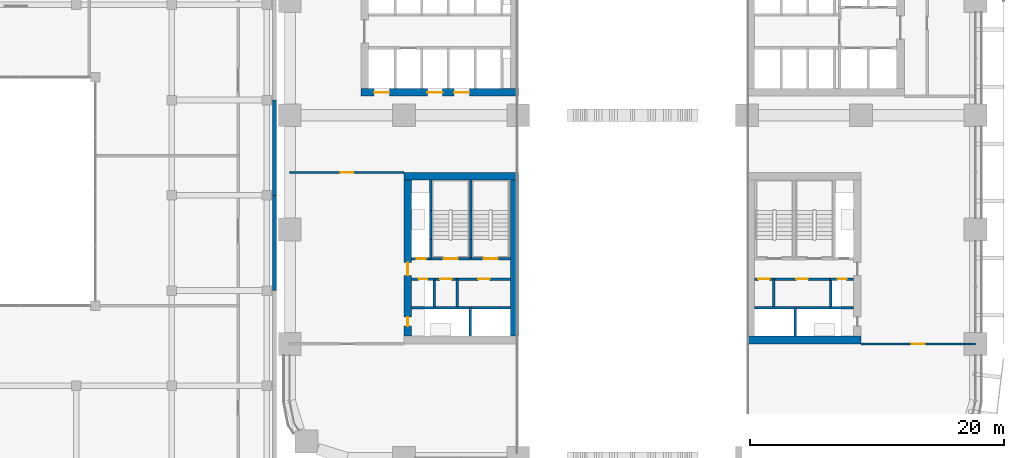
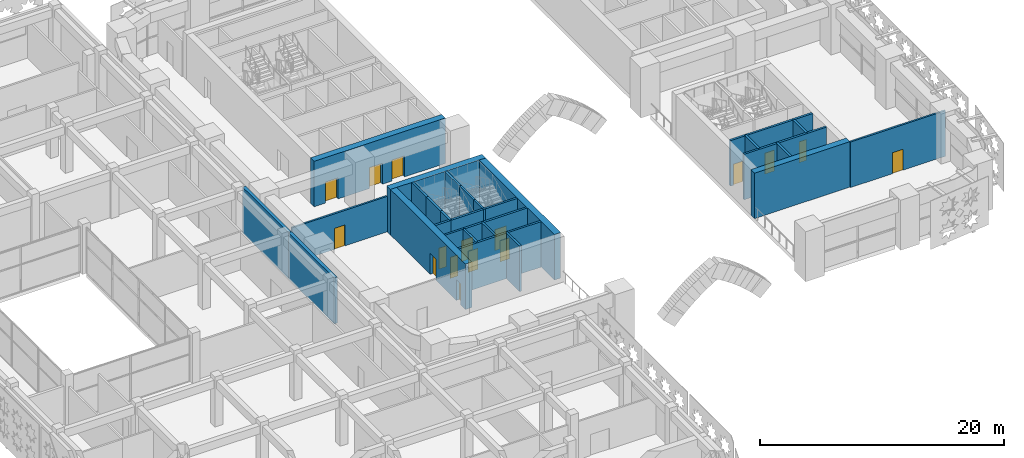
# One storey, part 17 of 40: 31 walls, 16 doors, 16 openings.
"""IFC4 building model written with IfcOpenShell, lengths in metres."""

from ifc_helpers import new_model, si_unit, direction, frame, frame_2d, origin, place, context, subcontext, project, spatial, rectangle, extrude, material, layer, layer_set, type_object, element, fill, save


model = new_model("IFC4")

# Units and contexts
model_context = context("Model", 3, precision=1e-05, world=origin(), true_north=direction((0.0, 1.0)))
body_context = subcontext(model_context, "Body", "Model", "MODEL_VIEW")
ifc_project = project(units=[si_unit("LENGTHUNIT", "METRE"), si_unit("AREAUNIT", "SQUARE_METRE"), si_unit("VOLUMEUNIT", "CUBIC_METRE"), si_unit("PLANEANGLEUNIT", "RADIAN"), si_unit("MASSUNIT", "GRAM", prefix="KILO")], contexts=[model_context])

# Site, building, storey
site_placement = place(None, origin())
site = spatial("IfcSite", under=ifc_project, at=site_placement, CompositionType="ELEMENT")
building_placement = place(site_placement, origin())
building = spatial("IfcBuilding", under=site, at=building_placement, Name="Tessera Arch", CompositionType="ELEMENT")
storey_placement = place(building_placement, frame((0.0, 0.0, 21.0)))
storey = spatial("IfcBuildingStorey", under=building, at=storey_placement, Name="L03", CompositionType="ELEMENT", Elevation=21.0)

# Wall
ifc_material_1 = material(Name="Gypsum board on steel stud", Category="steel")
ifc_layer_1 = layer(ifc_material_1, 0.125)
ifc_layer_set_1 = layer_set([ifc_layer_1], Name="Core partition 125 EI 60")
wall_type_1 = type_object("IfcWallType", Name="Core partition 125 EI 60", PredefinedType="PARTITIONING", material=ifc_layer_set_1)
wall_1_placement = place(storey_placement, frame((38.10009765625, 11.89990234375, 0.0), z_axis=(0.0, 0.0, 1.0), x_axis=(0.0, 1.0, 0.0)))
element("IfcWall", 1, at=wall_1_placement, inside=storey, type_object=wall_type_1, Name="L03 C3 partition wall 1", PredefinedType="PARTITIONING", context=body_context, shape_type="SweptSolid", body=[
    extrude(rectangle(XDim=2.2001953125, YDim=0.199951171875, at=frame_2d((1.10009765625, 0.0))), origin(), (0.0, 0.0, 1.0), 4.550048828125),
])

# Wall, openings, doors
wall_2_placement = place(storey_placement, frame((36.60009765625, 14.10009765625, 0.0), z_axis=(0.0, 0.0, 1.0), x_axis=(1.0, 0.0, 0.0)))
wall_2 = element("IfcWall", 2, at=wall_2_placement, inside=storey, type_object=wall_type_1, Name="L03 C3 partition wall 11", PredefinedType="PARTITIONING", context=body_context, shape_type="SweptSolid", body=[
    extrude(rectangle(XDim=6.0, YDim=0.199951171875, at=frame_2d((3.0, 0.0))), origin(), (0.0, 0.0, 1.0), 4.550048828125),
])
opening_1_placement = place(wall_2_placement, frame((0.300048828125, 0.0, 0.0)))
opening_1 = element("IfcOpeningElement", 3, at=opening_1_placement, cuts=wall_2, Name="Opening L03-C35", PredefinedType="OPENING", context=body_context, shape_type="SweptSolid", body=[
    extrude(rectangle(XDim=0.89990234375, YDim=2.10009765625, at=frame_2d((0.449951171875, 1.050048828125))), frame((0.0, 0.10986328125, 0.0), z_axis=(0.0, -1.0, 0.0), x_axis=(1.0, 0.0, 0.0)), (0.0, 0.0, 1.0), 0.219970703125),
])
opening_2_placement = place(wall_2_placement, frame((3.300048828125, 0.0, 0.0)))
opening_2 = element("IfcOpeningElement", 4, at=opening_2_placement, cuts=wall_2, Name="Opening L03-C36", PredefinedType="OPENING", context=body_context, shape_type="SweptSolid", body=[
    extrude(rectangle(XDim=0.89990234375, YDim=2.10009765625, at=frame_2d((0.449951171875, 1.050048828125))), frame((0.0, 0.10986328125, 0.0), z_axis=(0.0, -1.0, 0.0), x_axis=(1.0, 0.0, 0.0)), (0.0, 0.0, 1.0), 0.219970703125),
])
ifc_material_2 = material(Name="Steel door leaf", Category="steel")
door_type_1 = type_object("IfcDoorType", Name="Store door FD30S 900 x 2100", OperationType="SINGLE_SWING_LEFT", PredefinedType="DOOR", material=ifc_material_2)
door_1_placement = place(opening_1_placement, origin())
door_1 = element("IfcDoor", 5, at=door_1_placement, inside=storey, type_object=door_type_1, Name="L03 C3 door 7 C35 type D09", OperationType="SINGLE_SWING_LEFT", OverallHeight=2.10009765625, OverallWidth=0.89990234375, PredefinedType="DOOR", context=body_context, shape_type="SweptSolid", body=[
    extrude(rectangle(XDim=0.89990234375, YDim=2.10009765625, at=frame_2d((0.449951171875, 1.050048828125))), frame((0.0, 0.02490234375, 0.0), z_axis=(0.0, -1.0, 0.0), x_axis=(1.0, 0.0, 0.0)), (0.0, 0.0, 1.0), 0.050048828125),
])
fill(opening_1, door_1)
door_2_placement = place(opening_2_placement, origin())
door_2 = element("IfcDoor", 6, at=door_2_placement, inside=storey, type_object=door_type_1, Name="L03 C3 door 8 C36 type D09", OperationType="SINGLE_SWING_RIGHT", OverallHeight=2.10009765625, OverallWidth=0.89990234375, PredefinedType="DOOR", context=body_context, shape_type="SweptSolid", body=[
    extrude(rectangle(XDim=0.89990234375, YDim=2.10009765625, at=frame_2d((0.449951171875, 1.050048828125))), frame((0.0, 0.02490234375, 0.0), z_axis=(0.0, -1.0, 0.0), x_axis=(1.0, 0.0, 0.0)), (0.0, 0.0, 1.0), 0.050048828125),
])
fill(opening_2, door_2)

# Wall
wall_3_placement = place(storey_placement, frame((13.199951171875, 11.89990234375, 0.0), z_axis=(0.0, 0.0, 1.0), x_axis=(0.0, 1.0, 0.0)))
element("IfcWall", 7, at=wall_3_placement, inside=storey, type_object=wall_type_1, Name="L03 C4 partition wall 5", PredefinedType="PARTITIONING", context=body_context, shape_type="SweptSolid", body=[
    extrude(rectangle(XDim=2.2001953125, YDim=0.199951171875, at=frame_2d((1.10009765625, 0.0))), origin(), (0.0, 0.0, 1.0), 4.550048828125),
])

# Wall, openings, doors
wall_4_placement = place(storey_placement, frame((11.39990234375, 14.10009765625, 0.0), z_axis=(0.0, 0.0, 1.0), x_axis=(1.0, 0.0, 0.0)))
wall_4 = element("IfcWall", 8, at=wall_4_placement, inside=storey, type_object=wall_type_1, Name="L03 C4 partition wall 11", PredefinedType="PARTITIONING", context=body_context, shape_type="SweptSolid", body=[
    extrude(rectangle(XDim=6.0, YDim=0.199951171875, at=frame_2d((3.0, 0.0))), origin(), (0.0, 0.0, 1.0), 4.550048828125),
])
opening_3_placement = place(wall_4_placement, frame((0.449951171875, 0.0, 0.0)))
opening_3 = element("IfcOpeningElement", 9, at=opening_3_placement, cuts=wall_4, Name="Opening L03-C43", PredefinedType="OPENING", context=body_context, shape_type="SweptSolid", body=[
    extrude(rectangle(XDim=0.89990234375, YDim=2.10009765625, at=frame_2d((0.449951171875, 1.050048828125))), frame((0.0, 0.10986328125, 0.0), z_axis=(0.0, -1.0, 0.0), x_axis=(1.0, 0.0, 0.0)), (0.0, 0.0, 1.0), 0.219970703125),
])
opening_4_placement = place(wall_4_placement, frame((3.449951171875, 0.0, 0.0)))
opening_4 = element("IfcOpeningElement", 10, at=opening_4_placement, cuts=wall_4, Name="Opening L03-C44", PredefinedType="OPENING", context=body_context, shape_type="SweptSolid", body=[
    extrude(rectangle(XDim=0.89990234375, YDim=2.10009765625, at=frame_2d((0.449951171875, 1.050048828125))), frame((0.0, 0.10986328125, 0.0), z_axis=(0.0, -1.0, 0.0), x_axis=(1.0, 0.0, 0.0)), (0.0, 0.0, 1.0), 0.219970703125),
])
door_3_placement = place(opening_3_placement, origin())
door_3 = element("IfcDoor", 11, at=door_3_placement, inside=storey, type_object=door_type_1, Name="L03 C4 door 7 C43 type D09", OperationType="SINGLE_SWING_LEFT", OverallHeight=2.10009765625, OverallWidth=0.89990234375, PredefinedType="DOOR", context=body_context, shape_type="SweptSolid", body=[
    extrude(rectangle(XDim=0.89990234375, YDim=2.10009765625, at=frame_2d((0.449951171875, 1.050048828125))), frame((0.0, 0.02490234375, 0.0), z_axis=(0.0, -1.0, 0.0), x_axis=(1.0, 0.0, 0.0)), (0.0, 0.0, 1.0), 0.050048828125),
])
fill(opening_3, door_3)
door_4_placement = place(opening_4_placement, origin())
door_4 = element("IfcDoor", 12, at=door_4_placement, inside=storey, type_object=door_type_1, Name="L03 C4 door 8 C44 type D09", OperationType="SINGLE_SWING_RIGHT", OverallHeight=2.10009765625, OverallWidth=0.89990234375, PredefinedType="DOOR", context=body_context, shape_type="SweptSolid", body=[
    extrude(rectangle(XDim=0.89990234375, YDim=2.10009765625, at=frame_2d((0.449951171875, 1.050048828125))), frame((0.0, 0.02490234375, 0.0), z_axis=(0.0, -1.0, 0.0), x_axis=(1.0, 0.0, 0.0)), (0.0, 0.0, 1.0), 0.050048828125),
])
fill(opening_4, door_4)

ifc_material_3 = material(Name="Concrete C70/85", Category="concrete")
ifc_layer_2 = layer(ifc_material_3, 0.60009765625)
ifc_layer_set_2 = layer_set([ifc_layer_2], Name="Core shell wall 600 C70-85")
wall_type_2 = type_object("IfcWallType", Name="Core shell wall 600 C70-85", PredefinedType="SHEAR", material=ifc_layer_set_2)
wall_5_placement = place(storey_placement, frame((5.60009765625, 28.800048828125, 0.0), z_axis=(0.0, 0.0, 1.0), x_axis=(1.0, 0.0, 0.0)))
wall_5 = element("IfcWall", 13, at=wall_5_placement, inside=storey, type_object=wall_type_2, Name="L03 C2 core wall S", PredefinedType="SHEAR", context=body_context, shape_type="SweptSolid", body=[
    extrude(rectangle(XDim=12.39990234375, YDim=0.60009765625, at=frame_2d((6.199951171875, 0.0))), origin(), (0.0, 0.0, 1.0), 4.550048828125),
])
opening_5_placement = place(wall_5_placement, frame((1.050048828125, 0.0, 0.0)))
opening_5 = element("IfcOpeningElement", 14, at=opening_5_placement, cuts=wall_5, Name="Opening L03-C13", PredefinedType="OPENING", context=body_context, shape_type="SweptSolid", body=[
    extrude(rectangle(XDim=1.199951171875, YDim=2.10009765625, at=frame_2d((0.60009765625, 1.050048828125))), frame((0.0, 0.31005859375, 0.0), z_axis=(0.0, -1.0, 0.0), x_axis=(1.0, 0.0, 0.0)), (0.0, 0.0, 1.0), 0.6201171875),
])
opening_6_placement = place(wall_5_placement, frame((5.25, 0.0, 0.0)))
opening_6 = element("IfcOpeningElement", 15, at=opening_6_placement, cuts=wall_5, Name="Opening L03-C15", PredefinedType="OPENING", context=body_context, shape_type="SweptSolid", body=[
    extrude(rectangle(XDim=1.199951171875, YDim=2.10009765625, at=frame_2d((0.60009765625, 1.050048828125))), frame((0.0, 0.31005859375, 0.0), z_axis=(0.0, -1.0, 0.0), x_axis=(1.0, 0.0, 0.0)), (0.0, 0.0, 1.0), 0.6201171875),
])
opening_7_placement = place(wall_5_placement, frame((7.35009765625, 0.0, 0.0)))
opening_7 = element("IfcOpeningElement", 16, at=opening_7_placement, cuts=wall_5, Name="Opening L03-C16", PredefinedType="OPENING", context=body_context, shape_type="SweptSolid", body=[
    extrude(rectangle(XDim=1.199951171875, YDim=2.10009765625, at=frame_2d((0.60009765625, 1.050048828125))), frame((0.0, 0.31005859375, 0.0), z_axis=(0.0, -1.0, 0.0), x_axis=(1.0, 0.0, 0.0)), (0.0, 0.0, 1.0), 0.6201171875),
])
ifc_material_4 = material(Name="Stainless steel AISI 304", Category="steel")
door_type_2 = type_object("IfcDoorType", Name="Sliding landing door 1200 x 2100", OperationType="SLIDING_TO_LEFT", PredefinedType="DOOR", material=ifc_material_4)
door_5_placement = place(opening_5_placement, origin())
door_5 = element("IfcDoor", 17, at=door_5_placement, inside=storey, type_object=door_type_2, Name="L03 LR1 lift landing door C13 type LD", OperationType="SLIDING_TO_LEFT", OverallHeight=2.10009765625, OverallWidth=1.199951171875, PredefinedType="DOOR", context=body_context, shape_type="SweptSolid", body=[
    extrude(rectangle(XDim=1.199951171875, YDim=2.10009765625, at=frame_2d((0.60009765625, 1.050048828125))), frame((0.0, 0.02490234375, 0.0), z_axis=(0.0, -1.0, 0.0), x_axis=(1.0, 0.0, 0.0)), (0.0, 0.0, 1.0), 0.050048828125),
])
fill(opening_5, door_5)
door_6_placement = place(opening_6_placement, origin())
door_6 = element("IfcDoor", 18, at=door_6_placement, inside=storey, type_object=door_type_2, Name="L03 LR3 lift landing door C15 type LD", OperationType="SLIDING_TO_LEFT", OverallHeight=2.10009765625, OverallWidth=1.199951171875, PredefinedType="DOOR", context=body_context, shape_type="SweptSolid", body=[
    extrude(rectangle(XDim=1.199951171875, YDim=2.10009765625, at=frame_2d((0.60009765625, 1.050048828125))), frame((0.0, 0.02490234375, 0.0), z_axis=(0.0, -1.0, 0.0), x_axis=(1.0, 0.0, 0.0)), (0.0, 0.0, 1.0), 0.050048828125),
])
fill(opening_6, door_6)
door_7_placement = place(opening_7_placement, origin())
door_7 = element("IfcDoor", 19, at=door_7_placement, inside=storey, type_object=door_type_2, Name="L03 LR4 lift landing door C16 type LD", OperationType="SLIDING_TO_LEFT", OverallHeight=2.10009765625, OverallWidth=1.199951171875, PredefinedType="DOOR", context=body_context, shape_type="SweptSolid", body=[
    extrude(rectangle(XDim=1.199951171875, YDim=2.10009765625, at=frame_2d((0.60009765625, 1.050048828125))), frame((0.0, 0.02490234375, 0.0), z_axis=(0.0, -1.0, 0.0), x_axis=(1.0, 0.0, 0.0)), (0.0, 0.0, 1.0), 0.050048828125),
])
fill(opening_7, door_7)

# Walls
for number, where, z_axis, x_axis, name in (
    (20, (36.0, 9.300048828125, 0.0), (0.0, 0.0, 1.0), (1.0, 0.0, 0.0), "L03 C3 core wall S"),
    (21, (9.0, 22.199951171875, 0.0), (0.0, 0.0, 1.0), (1.0, 0.0, 0.0), "L03 C4 core wall N"),
):
    element("IfcWall", number, at=place(storey_placement, frame(where, z_axis=z_axis, x_axis=x_axis)), inside=storey, type_object=wall_type_2, Name=name, PredefinedType="SHEAR", context=body_context, shape_type="SweptSolid", body=[
        extrude(rectangle(XDim=9.0, YDim=0.60009765625, at=frame_2d((4.5, 0.0))), origin(), (0.0, 0.0, 1.0), 4.550048828125),
    ])

# Wall, openings, doors
wall_6_placement = place(storey_placement, frame((9.300048828125, 9.60009765625, 0.0), z_axis=(0.0, 0.0, 1.0), x_axis=(0.0, 1.0, 0.0)))
wall_6 = element("IfcWall", 22, at=wall_6_placement, inside=storey, type_object=wall_type_2, Name="L03 C4 core wall W", PredefinedType="SHEAR", context=body_context, shape_type="SweptSolid", body=[
    extrude(rectangle(XDim=12.2998046875, YDim=0.60009765625, at=frame_2d((6.14990234375, 0.0))), origin(), (0.0, 0.0, 1.0), 4.550048828125),
])
opening_8_placement = place(wall_6_placement, frame((0.800048828125, 0.0, 0.0)))
opening_8 = element("IfcOpeningElement", 23, at=opening_8_placement, cuts=wall_6, Name="Opening L03-C41", PredefinedType="OPENING", context=body_context, shape_type="SweptSolid", body=[
    extrude(rectangle(XDim=0.699951171875, YDim=2.10009765625, at=frame_2d((0.35009765625, 1.050048828125))), frame((0.0, 0.31005859375, 0.0), z_axis=(0.0, -1.0, 0.0), x_axis=(1.0, 0.0, 0.0)), (0.0, 0.0, 1.0), 0.6201171875),
])
opening_9_placement = place(wall_6_placement, frame((4.800048828125, 0.0, 0.0)))
opening_9 = element("IfcOpeningElement", 24, at=opening_9_placement, cuts=wall_6, Name="Opening L03-C42", PredefinedType="OPENING", context=body_context, shape_type="SweptSolid", body=[
    extrude(rectangle(XDim=1.0, YDim=2.10009765625, at=frame_2d((0.5, 1.050048828125))), frame((0.0, 0.31005859375, 0.0), z_axis=(0.0, -1.0, 0.0), x_axis=(1.0, 0.0, 0.0)), (0.0, 0.0, 1.0), 0.6201171875),
])
ifc_material_5 = material(Name="Steel door leaf", Category="steel")
door_type_3 = type_object("IfcDoorType", Name="Corridor door FD60 1000 x 2100", OperationType="SINGLE_SWING_LEFT", PredefinedType="DOOR", material=ifc_material_5)
door_8_placement = place(opening_9_placement, origin())
door_8 = element("IfcDoor", 25, at=door_8_placement, inside=storey, type_object=door_type_3, Name="L03 C4 door 6 C42 type D12", OperationType="SINGLE_SWING_LEFT", OverallHeight=2.10009765625, OverallWidth=1.0, PredefinedType="DOOR", context=body_context, shape_type="SweptSolid", body=[
    extrude(rectangle(XDim=1.0, YDim=2.10009765625, at=frame_2d((0.5, 1.050048828125))), frame((0.0, 0.02490234375, 0.0), z_axis=(0.0, -1.0, 0.0), x_axis=(1.0, 0.0, 0.0)), (0.0, 0.0, 1.0), 0.050048828125),
])
fill(opening_9, door_8)
ifc_material_6 = material(Name="Steel door leaf", Category="steel")
door_type_4 = type_object("IfcDoorType", Name="Service shaft door FD60 700 x 2100", OperationType="SINGLE_SWING_LEFT", PredefinedType="DOOR", material=ifc_material_6)
door_9_placement = place(opening_8_placement, origin())
door_9 = element("IfcDoor", 26, at=door_9_placement, inside=storey, type_object=door_type_4, Name="L03 C4 door 5 C41 type D07", OperationType="SINGLE_SWING_LEFT", OverallHeight=2.10009765625, OverallWidth=0.699951171875, PredefinedType="DOOR", context=body_context, shape_type="SweptSolid", body=[
    extrude(rectangle(XDim=0.699951171875, YDim=2.10009765625, at=frame_2d((0.35009765625, 1.050048828125))), frame((0.0, 0.02490234375, 0.0), z_axis=(0.0, -1.0, 0.0), x_axis=(1.0, 0.0, 0.0)), (0.0, 0.0, 1.0), 0.050048828125),
])
fill(opening_8, door_9)

# Wall
wall_7_placement = place(storey_placement, frame((17.699951171875, 9.60009765625, 0.0), z_axis=(0.0, 0.0, 1.0), x_axis=(0.0, 1.0, 0.0)))
element("IfcWall", 27, at=wall_7_placement, inside=storey, type_object=wall_type_2, Name="L03 C4 core wall E", PredefinedType="SHEAR", context=body_context, shape_type="SweptSolid", body=[
    extrude(rectangle(XDim=12.2998046875, YDim=0.60009765625, at=frame_2d((6.14990234375, 0.0))), origin(), (0.0, 0.0, 1.0), 4.550048828125),
])

# Wall, opening, door
ifc_material_7 = material(Name="Gypsum board on deep steel stud with mineral wool", Category="steel")
ifc_layer_3 = layer(ifc_material_7, 0.175048828125)
ifc_layer_set_3 = layer_set([ifc_layer_3], Name="Corridor wall 175 EI 60")
wall_type_3 = type_object("IfcWallType", Name="Corridor wall 175 EI 60", PredefinedType="PARTITIONING", material=ifc_layer_set_3)
wall_8_placement = place(storey_placement, frame((45.0, 9.0, 0.0), z_axis=(0.0, 0.0, 1.0), x_axis=(1.0, 0.0, 0.0)))
wall_8 = element("IfcWall", 28, at=wall_8_placement, inside=storey, type_object=wall_type_3, Name="L03 partition 4", PredefinedType="PARTITIONING", context=body_context, shape_type="SweptSolid", body=[
    extrude(rectangle(XDim=9.0, YDim=0.175048828125, at=frame_2d((4.5, 0.0))), origin(), (0.0, 0.0, 1.0), 4.550048828125),
])
opening_10_placement = place(wall_8_placement, frame((4.0, 0.0, 0.0)))
opening_10 = element("IfcOpeningElement", 29, at=opening_10_placement, cuts=wall_8, Name="Opening L03-D016", PredefinedType="OPENING", context=body_context, shape_type="SweptSolid", body=[
    extrude(rectangle(XDim=1.0, YDim=2.10009765625, at=frame_2d((0.5, 1.050048828125))), frame((0.0, 0.097412109375, 0.0), z_axis=(0.0, -1.0, 0.0), x_axis=(1.0, 0.0, 0.0)), (0.0, 0.0, 1.0), 0.195068359375),
])
ifc_material_8 = material(Name="Fire-rated door leaf")
door_type_5 = type_object("IfcDoorType", Name="Entrance door FD30S 1000 x 2100", OperationType="SINGLE_SWING_LEFT", PredefinedType="DOOR", material=ifc_material_8)
door_10_placement = place(opening_10_placement, origin())
door_10 = element("IfcDoor", 30, at=door_10_placement, inside=storey, type_object=door_type_5, Name="L03 door D016 type D03", OperationType="SINGLE_SWING_LEFT", OverallHeight=2.10009765625, OverallWidth=1.0, PredefinedType="DOOR", context=body_context, shape_type="SweptSolid", body=[
    extrude(rectangle(XDim=1.0, YDim=2.10009765625, at=frame_2d((0.5, 1.050048828125))), frame((0.0, 0.02490234375, 0.0), z_axis=(0.0, -1.0, 0.0), x_axis=(1.0, 0.0, 0.0)), (0.0, 0.0, 1.0), 0.050048828125),
])
fill(opening_10, door_10)

wall_9_placement = place(storey_placement, frame((0.0, 22.5, 0.0), z_axis=(0.0, 0.0, 1.0), x_axis=(1.0, 0.0, 0.0)))
wall_9 = element("IfcWall", 31, at=wall_9_placement, inside=storey, type_object=wall_type_3, Name="L03 partition 6", PredefinedType="PARTITIONING", context=body_context, shape_type="SweptSolid", body=[
    extrude(rectangle(XDim=9.0, YDim=0.175048828125, at=frame_2d((4.5, 0.0))), origin(), (0.0, 0.0, 1.0), 3.550048828125),
])
opening_11_placement = place(wall_9_placement, frame((4.0, 0.0, 0.0)))
opening_11 = element("IfcOpeningElement", 32, at=opening_11_placement, cuts=wall_9, Name="Opening L03-D020", PredefinedType="OPENING", context=body_context, shape_type="SweptSolid", body=[
    extrude(rectangle(XDim=1.0, YDim=2.10009765625, at=frame_2d((0.5, 1.050048828125))), frame((0.0, 0.097412109375, 0.0), z_axis=(0.0, -1.0, 0.0), x_axis=(1.0, 0.0, 0.0)), (0.0, 0.0, 1.0), 0.195068359375),
])
door_11_placement = place(opening_11_placement, origin())
door_11 = element("IfcDoor", 33, at=door_11_placement, inside=storey, type_object=door_type_5, Name="L03 door D020 type D03", OperationType="SINGLE_SWING_LEFT", OverallHeight=2.10009765625, OverallWidth=1.0, PredefinedType="DOOR", context=body_context, shape_type="SweptSolid", body=[
    extrude(rectangle(XDim=1.0, YDim=2.10009765625, at=frame_2d((0.5, 1.050048828125))), frame((0.0, 0.02490234375, 0.0), z_axis=(0.0, -1.0, 0.0), x_axis=(1.0, 0.0, 0.0)), (0.0, 0.0, 1.0), 0.050048828125),
])
fill(opening_11, door_11)

# Walls
ifc_material_9 = material(Name="Concrete C40/50", Category="concrete")
ifc_layer_4 = layer(ifc_material_9, 0.300048828125)
ifc_layer_set_4 = layer_set([ifc_layer_4], Name="Museum fire wall")
wall_type_4 = type_object("IfcWallType", Name="Museum fire wall", PredefinedType="SOLIDWALL", material=ifc_layer_set_4)
for number, where, z_axis, x_axis, name in (
    (34, (-1.199951171875, 13.199951171875, 0.0), (0.0, 0.0, 1.0), (0.0, 1.0, 0.0), "Museum fire wall at the movement joint"),
    (35, (-1.199951171875, 20.699951171875, 0.0), (0.0, 0.0, 1.0), (0.0, 1.0, 0.0), "Museum fire wall at the movement joint"),
):
    element("IfcWall", number, at=place(storey_placement, frame(where, z_axis=z_axis, x_axis=x_axis)), inside=storey, type_object=wall_type_4, Name=name, PredefinedType="SOLIDWALL", context=body_context, shape_type="SweptSolid", body=[
        extrude(rectangle(XDim=7.5, YDim=0.300048828125, at=frame_2d((3.75, 0.0))), origin(), (0.0, 0.0, 1.0), 4.590087890625),
    ])
ifc_material_10 = material(Name="Concrete C40/50", Category="concrete")
ifc_layer_5 = layer(ifc_material_10, 0.199951171875)
ifc_layer_set_5 = layer_set([ifc_layer_5], Name="Shaft wall 200 EI 120")
wall_type_5 = type_object("IfcWallType", Name="Shaft wall 200 EI 120", PredefinedType="SOLIDWALL", material=ifc_layer_set_5)
wall_10_placement = place(storey_placement, frame((39.800048828125, 9.60009765625, 0.0), z_axis=(0.0, 0.0, 1.0), x_axis=(0.0, 1.0, 0.0)))
element("IfcWall", 36, at=wall_10_placement, inside=storey, type_object=wall_type_5, Name="L03 C3 shaft wall 5", PredefinedType="SOLIDWALL", context=body_context, shape_type="SweptSolid", body=[
    extrude(rectangle(XDim=2.2998046875, YDim=0.199951171875, at=frame_2d((1.14990234375, 0.0))), origin(), (0.0, 0.0, 1.0), 4.550048828125),
])
wall_11_placement = place(storey_placement, frame((42.60009765625, 11.89990234375, 0.0), z_axis=(0.0, 0.0, 1.0), x_axis=(0.0, 1.0, 0.0)))
element("IfcWall", 37, at=wall_11_placement, inside=storey, type_object=wall_type_5, Name="L03 C3 shaft wall 6", PredefinedType="SOLIDWALL", context=body_context, shape_type="SweptSolid", body=[
    extrude(rectangle(XDim=2.2001953125, YDim=0.199951171875, at=frame_2d((1.10009765625, 0.0))), origin(), (0.0, 0.0, 1.0), 4.550048828125),
])
wall_12_placement = place(storey_placement, frame((36.60009765625, 11.85009765625, 0.0), z_axis=(0.0, 0.0, 1.0), x_axis=(1.0, 0.0, 0.0)))
element("IfcWall", 38, at=wall_12_placement, inside=storey, type_object=wall_type_5, Name="L03 C3 shaft wall 10", PredefinedType="SOLIDWALL", context=body_context, shape_type="SweptSolid", body=[
    extrude(rectangle(XDim=7.7998046875, YDim=0.199951171875, at=frame_2d((3.89990234375, 0.0))), origin(), (0.0, 0.0, 1.0), 4.550048828125),
])

# Wall, opening, door
wall_13_placement = place(storey_placement, frame((42.60009765625, 14.10009765625, 0.0), z_axis=(0.0, 0.0, 1.0), x_axis=(1.0, 0.0, 0.0)))
wall_13 = element("IfcWall", 39, at=wall_13_placement, inside=storey, type_object=wall_type_5, Name="L03 C3 shaft wall 12", PredefinedType="SOLIDWALL", context=body_context, shape_type="SweptSolid", body=[
    extrude(rectangle(XDim=1.7998046875, YDim=0.199951171875, at=frame_2d((0.89990234375, 0.0))), origin(), (0.0, 0.0, 1.0), 4.550048828125),
])
opening_12_placement = place(wall_13_placement, frame((0.550048828125, 0.0, 0.0)))
opening_12 = element("IfcOpeningElement", 40, at=opening_12_placement, cuts=wall_13, Name="Opening L03-C32", PredefinedType="OPENING", context=body_context, shape_type="SweptSolid", body=[
    extrude(rectangle(XDim=0.699951171875, YDim=2.10009765625, at=frame_2d((0.35009765625, 1.050048828125))), frame((0.0, 0.10986328125, 0.0), z_axis=(0.0, -1.0, 0.0), x_axis=(1.0, 0.0, 0.0)), (0.0, 0.0, 1.0), 0.219970703125),
])
door_12_placement = place(opening_12_placement, origin())
door_12 = element("IfcDoor", 41, at=door_12_placement, inside=storey, type_object=door_type_4, Name="L03 C3 door 4 C32 type D07", OperationType="SINGLE_SWING_RIGHT", OverallHeight=2.10009765625, OverallWidth=0.699951171875, PredefinedType="DOOR", context=body_context, shape_type="SweptSolid", body=[
    extrude(rectangle(XDim=0.699951171875, YDim=2.10009765625, at=frame_2d((0.35009765625, 1.050048828125))), frame((0.0, 0.02490234375, 0.0), z_axis=(0.0, -1.0, 0.0), x_axis=(1.0, 0.0, 0.0)), (0.0, 0.0, 1.0), 0.050048828125),
])
fill(opening_12, door_12)

# Walls
wall_14_placement = place(storey_placement, frame((11.39990234375, 11.89990234375, 0.0), z_axis=(0.0, 0.0, 1.0), x_axis=(0.0, 1.0, 0.0)))
element("IfcWall", 42, at=wall_14_placement, inside=storey, type_object=wall_type_5, Name="L03 C4 shaft wall 4", PredefinedType="SOLIDWALL", context=body_context, shape_type="SweptSolid", body=[
    extrude(rectangle(XDim=2.2001953125, YDim=0.199951171875, at=frame_2d((1.10009765625, 0.0))), origin(), (0.0, 0.0, 1.0), 4.550048828125),
])
wall_15_placement = place(storey_placement, frame((14.199951171875, 9.60009765625, 0.0), z_axis=(0.0, 0.0, 1.0), x_axis=(0.0, 1.0, 0.0)))
element("IfcWall", 43, at=wall_15_placement, inside=storey, type_object=wall_type_5, Name="L03 C4 shaft wall 6", PredefinedType="SOLIDWALL", context=body_context, shape_type="SweptSolid", body=[
    extrude(rectangle(XDim=2.2998046875, YDim=0.199951171875, at=frame_2d((1.14990234375, 0.0))), origin(), (0.0, 0.0, 1.0), 4.550048828125),
])
wall_16_placement = place(storey_placement, frame((9.60009765625, 11.85009765625, 0.0), z_axis=(0.0, 0.0, 1.0), x_axis=(1.0, 0.0, 0.0)))
element("IfcWall", 44, at=wall_16_placement, inside=storey, type_object=wall_type_5, Name="L03 C4 shaft wall 10", PredefinedType="SOLIDWALL", context=body_context, shape_type="SweptSolid", body=[
    extrude(rectangle(XDim=7.7998046875, YDim=0.199951171875, at=frame_2d((3.89990234375, 0.0))), origin(), (0.0, 0.0, 1.0), 4.550048828125),
])

# Wall, opening, door
wall_17_placement = place(storey_placement, frame((9.60009765625, 14.10009765625, 0.0), z_axis=(0.0, 0.0, 1.0), x_axis=(1.0, 0.0, 0.0)))
wall_17 = element("IfcWall", 45, at=wall_17_placement, inside=storey, type_object=wall_type_5, Name="L03 C4 shaft wall 12", PredefinedType="SOLIDWALL", context=body_context, shape_type="SweptSolid", body=[
    extrude(rectangle(XDim=1.7998046875, YDim=0.199951171875, at=frame_2d((0.89990234375, 0.0))), origin(), (0.0, 0.0, 1.0), 4.550048828125),
])
opening_13_placement = place(wall_17_placement, frame((0.550048828125, 0.0, 0.0)))
opening_13 = element("IfcOpeningElement", 46, at=opening_13_placement, cuts=wall_17, Name="Opening L03-C40", PredefinedType="OPENING", context=body_context, shape_type="SweptSolid", body=[
    extrude(rectangle(XDim=0.699951171875, YDim=2.10009765625, at=frame_2d((0.35009765625, 1.050048828125))), frame((0.0, 0.10986328125, 0.0), z_axis=(0.0, -1.0, 0.0), x_axis=(1.0, 0.0, 0.0)), (0.0, 0.0, 1.0), 0.219970703125),
])
door_13_placement = place(opening_13_placement, origin())
door_13 = element("IfcDoor", 47, at=door_13_placement, inside=storey, type_object=door_type_4, Name="L03 C4 door 4 C40 type D07", OperationType="SINGLE_SWING_LEFT", OverallHeight=2.10009765625, OverallWidth=0.699951171875, PredefinedType="DOOR", context=body_context, shape_type="SweptSolid", body=[
    extrude(rectangle(XDim=0.699951171875, YDim=2.10009765625, at=frame_2d((0.35009765625, 1.050048828125))), frame((0.0, 0.02490234375, 0.0), z_axis=(0.0, -1.0, 0.0), x_axis=(1.0, 0.0, 0.0)), (0.0, 0.0, 1.0), 0.050048828125),
])
fill(opening_13, door_13)

wall_18_placement = place(storey_placement, frame((9.60009765625, 15.699951171875, 0.0), z_axis=(0.0, 0.0, 1.0), x_axis=(1.0, 0.0, 0.0)))
wall_18 = element("IfcWall", 48, at=wall_18_placement, inside=storey, type_object=wall_type_5, Name="L03 C4 shaft wall 13", PredefinedType="SOLIDWALL", context=body_context, shape_type="SweptSolid", body=[
    extrude(rectangle(XDim=1.5, YDim=0.199951171875, at=frame_2d((0.75, 0.0))), origin(), (0.0, 0.0, 1.0), 4.550048828125),
])
opening_14_placement = place(wall_18_placement, frame((0.39990234375, 0.0, 0.0)))
opening_14 = element("IfcOpeningElement", 49, at=opening_14_placement, cuts=wall_18, Name="Opening L03-C39", PredefinedType="OPENING", context=body_context, shape_type="SweptSolid", body=[
    extrude(rectangle(XDim=0.699951171875, YDim=2.10009765625, at=frame_2d((0.35009765625, 1.050048828125))), frame((0.0, 0.10986328125, 0.0), z_axis=(0.0, -1.0, 0.0), x_axis=(1.0, 0.0, 0.0)), (0.0, 0.0, 1.0), 0.219970703125),
])
door_14_placement = place(opening_14_placement, origin())
door_14 = element("IfcDoor", 50, at=door_14_placement, inside=storey, type_object=door_type_4, Name="L03 C4 door 3 C39 type D07", OperationType="SINGLE_SWING_LEFT", OverallHeight=2.10009765625, OverallWidth=0.699951171875, PredefinedType="DOOR", context=body_context, shape_type="SweptSolid", body=[
    extrude(rectangle(XDim=0.699951171875, YDim=2.10009765625, at=frame_2d((0.35009765625, 1.050048828125))), frame((0.0, 0.02490234375, 0.0), z_axis=(0.0, -1.0, 0.0), x_axis=(1.0, 0.0, 0.0)), (0.0, 0.0, 1.0), 0.050048828125),
])
fill(opening_14, door_14)

# Walls
ifc_material_11 = material(Name="Concrete C40/50", Category="concrete")
ifc_layer_6 = layer(ifc_material_11, 0.199951171875)
ifc_layer_set_6 = layer_set([ifc_layer_6], Name="Stair well wall 200 REI 180")
wall_type_6 = type_object("IfcWallType", Name="Stair well wall 200 REI 180", PredefinedType="SOLIDWALL", material=ifc_layer_set_6)
wall_19_placement = place(storey_placement, frame((11.10009765625, 15.699951171875, 0.0), z_axis=(0.0, 0.0, 1.0), x_axis=(0.0, 1.0, 0.0)))
element("IfcWall", 51, at=wall_19_placement, inside=storey, type_object=wall_type_6, Name="L03 C4 shaft wall 1", PredefinedType="SOLIDWALL", context=body_context, shape_type="SweptSolid", body=[
    extrude(rectangle(XDim=1.5, YDim=0.199951171875, at=frame_2d((0.75, 0.0))), origin(), (0.0, 0.0, 1.0), 4.550048828125),
])
wall_20_placement = place(storey_placement, frame((11.10009765625, 17.199951171875, 0.0), z_axis=(0.0, 0.0, 1.0), x_axis=(0.0, 1.0, 0.0)))
element("IfcWall", 52, at=wall_20_placement, inside=storey, type_object=wall_type_6, Name="L03 C4 shaft wall 2", PredefinedType="SOLIDWALL", context=body_context, shape_type="SweptSolid", body=[
    extrude(rectangle(XDim=2.31005859375, YDim=0.199951171875, at=frame_2d((1.155029296875, 0.0))), origin(), (0.0, 0.0, 1.0), 4.550048828125),
])
wall_21_placement = place(storey_placement, frame((11.10009765625, 19.510009765625, 0.0), z_axis=(0.0, 0.0, 1.0), x_axis=(0.0, 1.0, 0.0)))
element("IfcWall", 53, at=wall_21_placement, inside=storey, type_object=wall_type_6, Name="L03 C4 shaft wall 3", PredefinedType="SOLIDWALL", context=body_context, shape_type="SweptSolid", body=[
    extrude(rectangle(XDim=2.389892578125, YDim=0.199951171875, at=frame_2d((1.19482421875, 0.0))), origin(), (0.0, 0.0, 1.0), 4.550048828125),
])
wall_22_placement = place(storey_placement, frame((14.25, 15.699951171875, 0.0), z_axis=(0.0, 0.0, 1.0), x_axis=(0.0, 1.0, 0.0)))
element("IfcWall", 54, at=wall_22_placement, inside=storey, type_object=wall_type_6, Name="L03 C4 shaft wall 7", PredefinedType="SOLIDWALL", context=body_context, shape_type="SweptSolid", body=[
    extrude(rectangle(XDim=1.5, YDim=0.199951171875, at=frame_2d((0.75, 0.0))), origin(), (0.0, 0.0, 1.0), 4.550048828125),
])
wall_23_placement = place(storey_placement, frame((14.25, 17.199951171875, 0.0), z_axis=(0.0, 0.0, 1.0), x_axis=(0.0, 1.0, 0.0)))
element("IfcWall", 55, at=wall_23_placement, inside=storey, type_object=wall_type_6, Name="L03 C4 shaft wall 8", PredefinedType="SOLIDWALL", context=body_context, shape_type="SweptSolid", body=[
    extrude(rectangle(XDim=2.31005859375, YDim=0.199951171875, at=frame_2d((1.155029296875, 0.0))), origin(), (0.0, 0.0, 1.0), 4.550048828125),
])
wall_24_placement = place(storey_placement, frame((14.25, 19.510009765625, 0.0), z_axis=(0.0, 0.0, 1.0), x_axis=(0.0, 1.0, 0.0)))
element("IfcWall", 56, at=wall_24_placement, inside=storey, type_object=wall_type_6, Name="L03 C4 shaft wall 9", PredefinedType="SOLIDWALL", context=body_context, shape_type="SweptSolid", body=[
    extrude(rectangle(XDim=2.389892578125, YDim=0.199951171875, at=frame_2d((1.19482421875, 0.0))), origin(), (0.0, 0.0, 1.0), 4.550048828125),
])

# Wall, opening, door
wall_25_placement = place(storey_placement, frame((11.10009765625, 15.699951171875, 0.0), z_axis=(0.0, 0.0, 1.0), x_axis=(1.0, 0.0, 0.0)))
wall_25 = element("IfcWall", 57, at=wall_25_placement, inside=storey, type_object=wall_type_6, Name="L03 C4 shaft wall 14", PredefinedType="SOLIDWALL", context=body_context, shape_type="SweptSolid", body=[
    extrude(rectangle(XDim=3.0498046875, YDim=0.199951171875, at=frame_2d((1.52490234375, 0.0))), origin(), (0.0, 0.0, 1.0), 4.550048828125),
])
opening_15_placement = place(wall_25_placement, frame((1.02490234375, 0.0, 0.0)))
opening_15 = element("IfcOpeningElement", 58, at=opening_15_placement, cuts=wall_25, Name="Opening L03-C38", PredefinedType="OPENING", context=body_context, shape_type="SweptSolid", body=[
    extrude(rectangle(XDim=1.10009765625, YDim=2.10009765625, at=frame_2d((0.550048828125, 1.050048828125))), frame((0.0, 0.10986328125, 0.0), z_axis=(0.0, -1.0, 0.0), x_axis=(1.0, 0.0, 0.0)), (0.0, 0.0, 1.0), 0.219970703125),
])
ifc_material_12 = material(Name="Steel door leaf", Category="steel")
door_type_6 = type_object("IfcDoorType", Name="Stair door FD60 1100 x 2100", OperationType="SINGLE_SWING_LEFT", PredefinedType="DOOR", material=ifc_material_12)
door_15_placement = place(opening_15_placement, origin())
door_15 = element("IfcDoor", 59, at=door_15_placement, inside=storey, type_object=door_type_6, Name="L03 C4 door 2 C38 type D05", OperationType="SINGLE_SWING_RIGHT", OverallHeight=2.10009765625, OverallWidth=1.10009765625, PredefinedType="DOOR", context=body_context, shape_type="SweptSolid", body=[
    extrude(rectangle(XDim=1.10009765625, YDim=2.10009765625, at=frame_2d((0.550048828125, 1.050048828125))), frame((0.0, 0.02490234375, 0.0), z_axis=(0.0, -1.0, 0.0), x_axis=(1.0, 0.0, 0.0)), (0.0, 0.0, 1.0), 0.050048828125),
])
fill(opening_15, door_15)

# Wall
wall_26_placement = place(storey_placement, frame((14.14990234375, 15.699951171875, 0.0), z_axis=(0.0, 0.0, 1.0), x_axis=(1.0, 0.0, 0.0)))
element("IfcWall", 60, at=wall_26_placement, inside=storey, type_object=wall_type_6, Name="L03 C4 shaft wall 15", PredefinedType="SOLIDWALL", context=body_context, shape_type="SweptSolid", body=[
    extrude(rectangle(XDim=0.2001953125, YDim=0.199951171875, at=frame_2d((0.10009765625, 0.0))), origin(), (0.0, 0.0, 1.0), 4.550048828125),
])

# Wall, opening, door
wall_27_placement = place(storey_placement, frame((14.35009765625, 15.699951171875, 0.0), z_axis=(0.0, 0.0, 1.0), x_axis=(1.0, 0.0, 0.0)))
wall_27 = element("IfcWall", 61, at=wall_27_placement, inside=storey, type_object=wall_type_6, Name="L03 C4 shaft wall 16", PredefinedType="SOLIDWALL", context=body_context, shape_type="SweptSolid", body=[
    extrude(rectangle(XDim=3.0498046875, YDim=0.199951171875, at=frame_2d((1.52490234375, 0.0))), origin(), (0.0, 0.0, 1.0), 4.550048828125),
])
opening_16_placement = place(wall_27_placement, frame((0.925048828125, 0.0, 0.0)))
opening_16 = element("IfcOpeningElement", 62, at=opening_16_placement, cuts=wall_27, Name="Opening L03-C37", PredefinedType="OPENING", context=body_context, shape_type="SweptSolid", body=[
    extrude(rectangle(XDim=1.10009765625, YDim=2.10009765625, at=frame_2d((0.550048828125, 1.050048828125))), frame((0.0, 0.10986328125, 0.0), z_axis=(0.0, -1.0, 0.0), x_axis=(1.0, 0.0, 0.0)), (0.0, 0.0, 1.0), 0.219970703125),
])
door_16_placement = place(opening_16_placement, origin())
door_16 = element("IfcDoor", 63, at=door_16_placement, inside=storey, type_object=door_type_6, Name="L03 C4 door 1 C37 type D05", OperationType="SINGLE_SWING_LEFT", OverallHeight=2.10009765625, OverallWidth=1.10009765625, PredefinedType="DOOR", context=body_context, shape_type="SweptSolid", body=[
    extrude(rectangle(XDim=1.10009765625, YDim=2.10009765625, at=frame_2d((0.550048828125, 1.050048828125))), frame((0.0, 0.02490234375, 0.0), z_axis=(0.0, -1.0, 0.0), x_axis=(1.0, 0.0, 0.0)), (0.0, 0.0, 1.0), 0.050048828125),
])
fill(opening_16, door_16)

save(model, "model.ifc")
